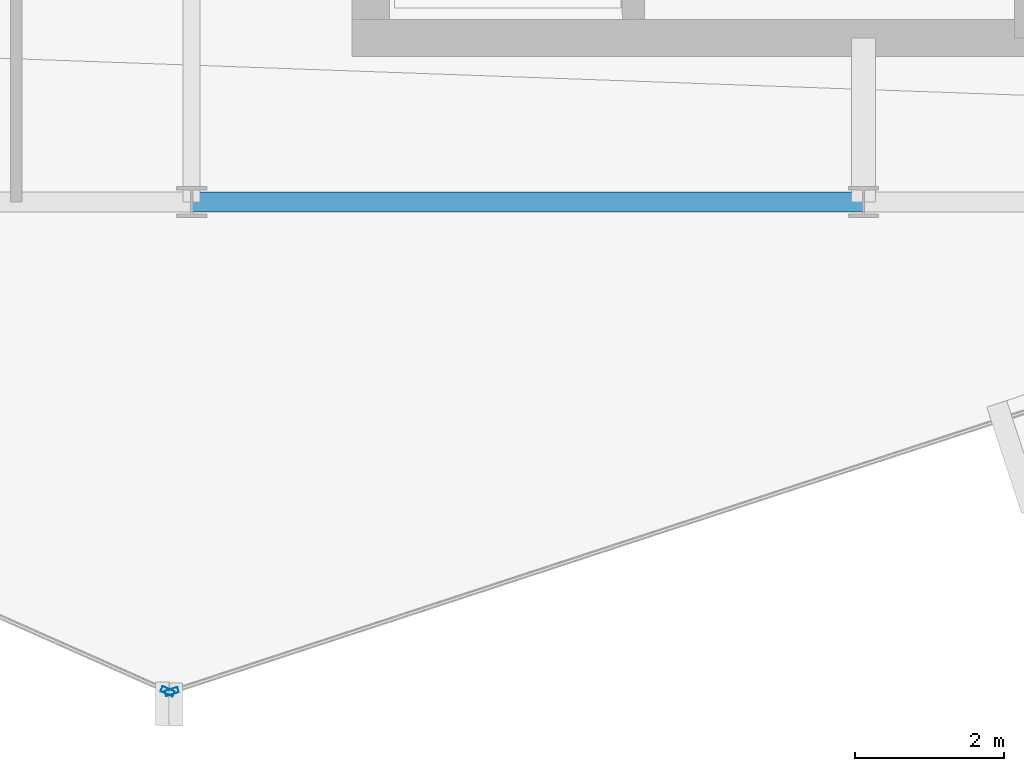
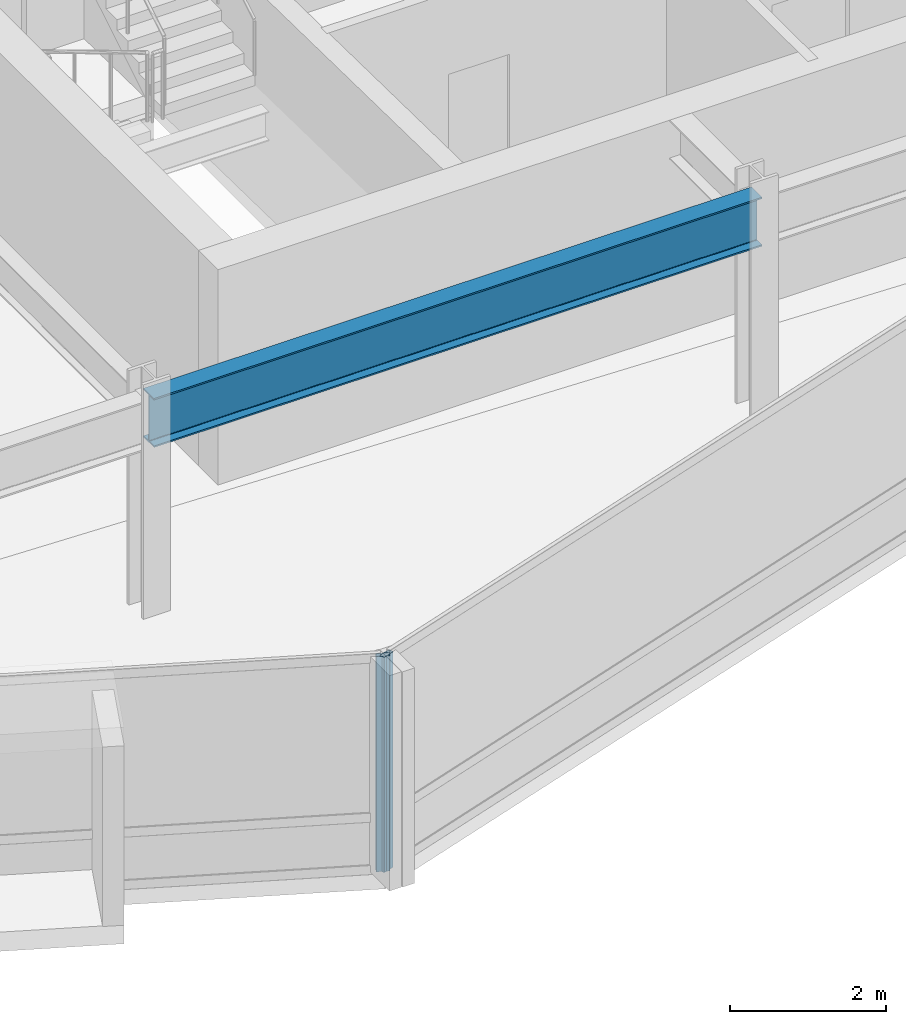
# One storey, part 4 of 27: 2 members, 1 beam, 2 elements without a shape of their own.
"""IFC4 building model written with IfcOpenShell, lengths in metres."""

from ifc_helpers import new_model, si_unit, direction, frame, origin, origin_2d, place, context, subcontext, project, spatial, hollow_rectangle, i_section, extrude, material, layer, layer_set, material_profile, profile_set, type_object, element, aggregate, save


model = new_model("IFC4")

# Units and contexts
model_context = context("Model", 3, precision=1e-05, world=origin(), true_north=direction((0.0, 1.0)))
body_context = subcontext(model_context, "Body", "Model", "MODEL_VIEW")
ifc_project = project(units=[si_unit("LENGTHUNIT", "METRE"), si_unit("AREAUNIT", "SQUARE_METRE"), si_unit("VOLUMEUNIT", "CUBIC_METRE"), si_unit("PLANEANGLEUNIT", "RADIAN"), si_unit("MASSUNIT", "GRAM", prefix="KILO")], contexts=[model_context])

# Site, building, storey
site_placement = place(None, origin())
site = spatial("IfcSite", under=ifc_project, at=site_placement, CompositionType="ELEMENT")
building_placement = place(site_placement, origin())
building = spatial("IfcBuilding", under=site, at=building_placement, Name="Solvaryn Broadcast Tower", CompositionType="ELEMENT")
storey_placement = place(building_placement, frame((0.0, 0.0, 192.699951171875)))
storey = spatial("IfcBuildingStorey", under=building, at=storey_placement, Name="L48", CompositionType="ELEMENT", Elevation=192.699951171875)

# Beam
ifc_material_1 = material(Name="Steel ASTM A992 Grade 50", Category="steel")
ifc_material_profile_1 = material_profile(ifc_material_1, i_section(OverallWidth=0.26708984375, OverallDepth=0.76611328125, WebThickness=0.014892578125, FlangeThickness=0.023681640625, FilletRadius=0.01806640625, at=origin_2d()))
ifc_profile_set_1 = profile_set([ifc_material_profile_1], Name="Steel ASTM A992 Grade 50")
beam_type = type_object("IfcBeamType", Name="BM-SP2-W30X124", PredefinedType="USERDEFINED", material=ifc_profile_set_1)
beam_placement = place(storey_placement, frame((27.0, 9.0, 2.987060546875), z_axis=(1.0, 0.0, 0.0), x_axis=(0.0, 1.0, 0.0)))
element("IfcBeam", 1, at=beam_placement, inside=storey, type_object=beam_type, Name="L48 Spandrel Beam X (27-36 @ Y=9)", ObjectType="SPANDREL", PredefinedType="USERDEFINED", context=body_context, shape_type="SweptSolid", body=[
    extrude(i_section(OverallWidth=0.26708984375, OverallDepth=0.76611328125, WebThickness=0.014892578125, FlangeThickness=0.023681640625, FilletRadius=0.01806640625, at=origin_2d()), origin(), (0.0, 0.0, 1.0), 9.0),
])

# Curtain wall, member
ifc_material_2 = material(Name="Aluminium and Terracotta Unitised Curtain Wall", Category="masonry")
ifc_layer = layer(ifc_material_2, 0.199951171875)
ifc_layer_set = layer_set([ifc_layer], Name="CW-SYS2-LOWMID")
curtain_wall_type = type_object("IfcCurtainWallType", Name="CW-SYS2-LOWMID", PredefinedType="NOTDEFINED", material=ifc_layer_set)
curtain_wall_1_placement = place(storey_placement, origin())
curtain_wall_1 = element("IfcCurtainWall", 2, at=curtain_wall_1_placement, inside=storey, type_object=curtain_wall_type, Name="L48 Curtain Wall DR3", PredefinedType="NOTDEFINED")
ifc_material_3 = material(Name="Anodised Aluminium 6063-T6", Category="aluminium")
ifc_material_profile_2 = material_profile(ifc_material_3, hollow_rectangle(XDim=0.074951171875, YDim=0.179931640625, WallThickness=0.00390625, InnerFilletRadius=0.00390625, OuterFilletRadius=0.008056640625, at=origin_2d()))
ifc_profile_set_2 = profile_set([ifc_material_profile_2], Name="Anodised Aluminium 6063-T6")
member_type = type_object("IfcMemberType", Name="CW-MUL-180", PredefinedType="MULLION", material=ifc_profile_set_2)
member_1_placement = place(storey_placement, frame((26.678466796875, 2.445068359375, 0.0), z_axis=(0.0, 0.0, 1.0), x_axis=(0.405901337237, 0.913916902365, 0.0)))
member_1 = element("IfcMember", 3, at=member_1_placement, type_object=member_type, Name="CWS2 mullion 2", PredefinedType="MULLION", context=body_context, shape_type="SweptSolid", body=[
    extrude(hollow_rectangle(XDim=0.074951171875, YDim=0.179931640625, WallThickness=0.00390625, InnerFilletRadius=0.00390625, OuterFilletRadius=0.008056640625, at=origin_2d()), origin(), (0.0, 0.0, 1.0), 3.3701171875),
])
aggregate(curtain_wall_1, [member_1])

curtain_wall_2_placement = place(storey_placement, origin())
curtain_wall_2 = element("IfcCurtainWall", 4, at=curtain_wall_2_placement, inside=storey, type_object=curtain_wall_type, Name="L48 Curtain Wall DR4", PredefinedType="NOTDEFINED")
member_2_placement = place(storey_placement, frame((26.734619140625, 2.4423828125, 0.0), z_axis=(0.0, 0.0, 1.0), x_axis=(-0.311558717623, 0.950226902099, 0.0)))
member_2 = element("IfcMember", 5, at=member_2_placement, type_object=member_type, Name="CWS2 mullion 1", PredefinedType="MULLION", context=body_context, shape_type="SweptSolid", body=[
    extrude(hollow_rectangle(XDim=0.074951171875, YDim=0.179931640625, WallThickness=0.00390625, InnerFilletRadius=0.00390625, OuterFilletRadius=0.008056640625, at=origin_2d()), origin(), (0.0, 0.0, 1.0), 3.3701171875),
])
aggregate(curtain_wall_2, [member_2])

save(model, "model.ifc")
